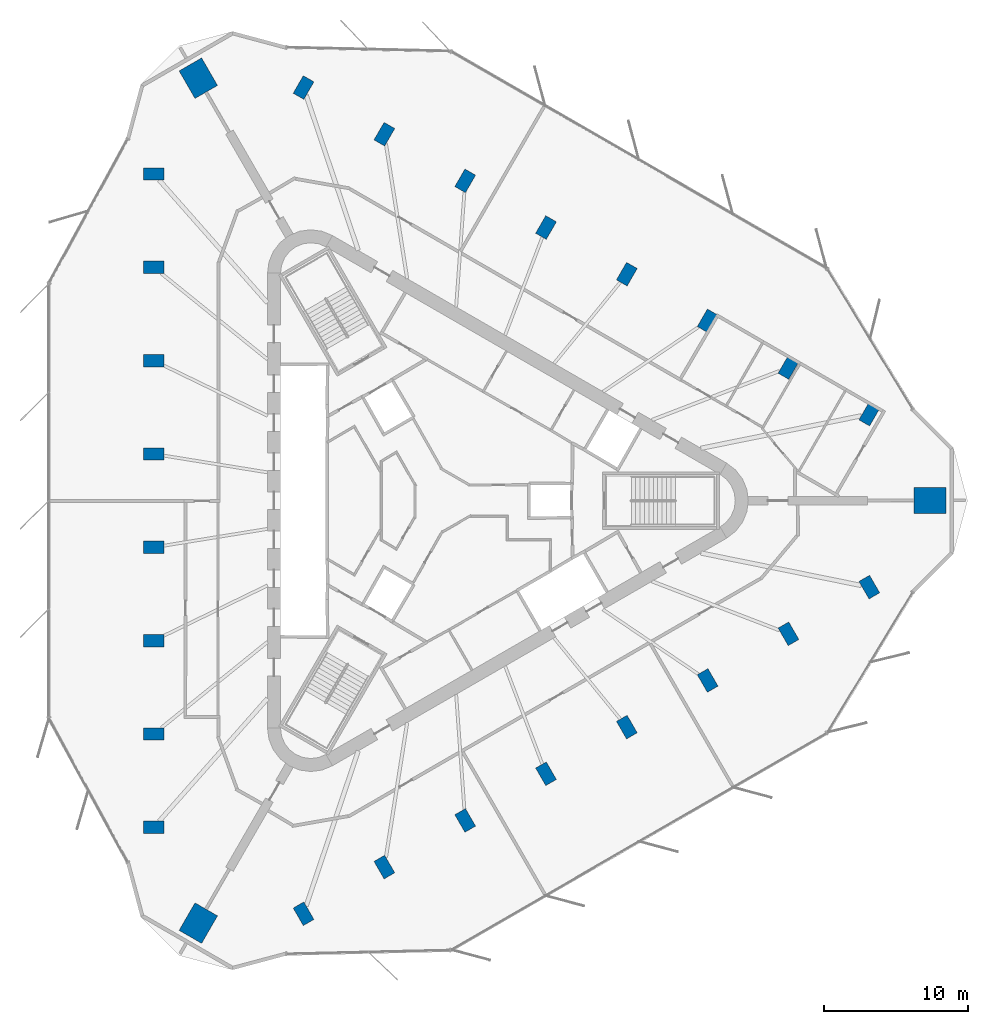
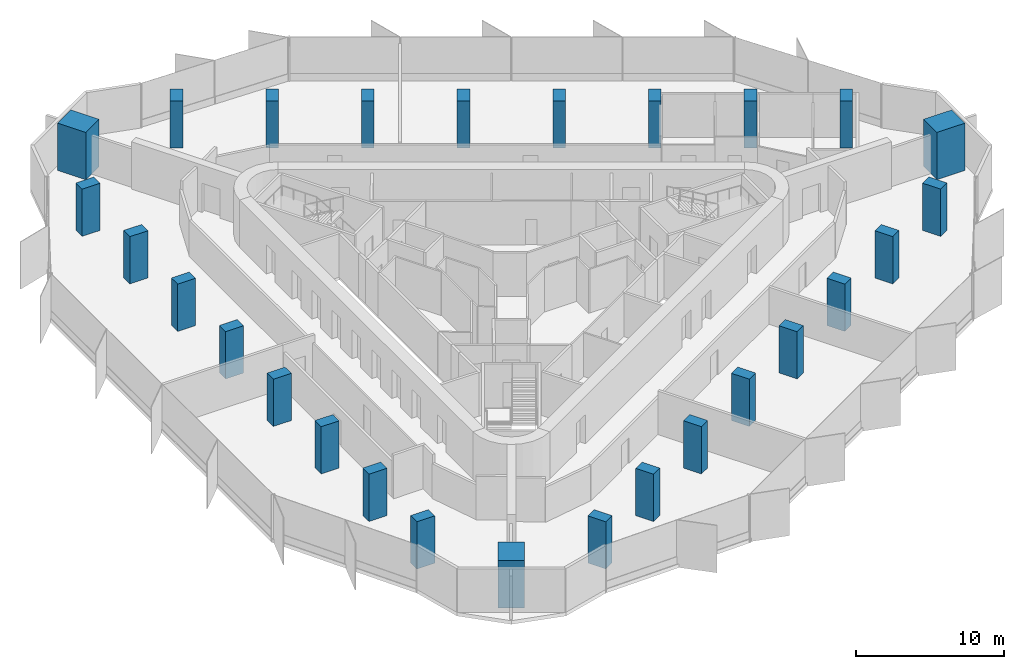
# One storey, part 1 of 12: 27 columns.
"""IFC4 building model written with IfcOpenShell, lengths in metres."""

from ifc_helpers import new_model, si_unit, direction, frame, origin, origin_2d, place, context, subcontext, project, spatial, rectangle, extrude, material, material_profile, profile_set, type_object, element, save


model = new_model("IFC4")

# Units and contexts
model_context = context("Model", 3, precision=1e-05, world=origin(), true_north=direction((0.0, 1.0)))
body_context = subcontext(model_context, "Body", "Model", "MODEL_VIEW")
ifc_project = project(units=[si_unit("LENGTHUNIT", "METRE"), si_unit("AREAUNIT", "SQUARE_METRE"), si_unit("VOLUMEUNIT", "CUBIC_METRE"), si_unit("PLANEANGLEUNIT", "RADIAN"), si_unit("MASSUNIT", "GRAM", prefix="KILO")], contexts=[model_context])

# Site, building, storey
site_placement = place(None, origin())
site = spatial("IfcSite", under=ifc_project, at=site_placement, CompositionType="ELEMENT")
building_placement = place(site_placement, origin())
building = spatial("IfcBuilding", under=site, at=building_placement, Name="Tanit Gate Tower", CompositionType="ELEMENT")
storey_placement = place(building_placement, frame((0.0, 0.0, 341.60009765625)))
storey = spatial("IfcBuildingStorey", under=building, at=storey_placement, Name="L77", CompositionType="ELEMENT", Elevation=341.60009765625)

# Columns
ifc_material_1 = material(Name="Concrete C50/60", Category="concrete")
ifc_material_profile_1 = material_profile(ifc_material_1, rectangle(XDim=2.199951171875, YDim=1.800048828125, at=origin_2d()), Name="RC 2200x1800")
ifc_profile_set_1 = profile_set([ifc_material_profile_1], Name="Concrete C50/60")
column_type_1 = type_object("IfcColumnType", Name="MEGA COLUMN 2200x1800 C50/60", PredefinedType="COLUMN", material=ifc_profile_set_1)
for number, where, z_axis, x_axis, name in (
    (1, (33.787109375, 0.0, 0.0), (0.0, 0.0, 1.0), (1.0, 0.0, 0.0), "MEGA COLUMN"),
    (2, (-16.8935546875, 29.260498046875, 0.0), (0.0, 0.0, 1.0), (-0.5, 0.866025403784, 0.0), "MEGA COLUMN"),
    (3, (-16.8935546875, -29.260498046875, 0.0), (0.0, 0.0, 1.0), (-0.5, -0.866025403784, 0.0), "MEGA COLUMN"),
):
    element("IfcColumn", number, at=place(storey_placement, frame(where, z_axis=z_axis, x_axis=x_axis)), inside=storey, type_object=column_type_1, Name=name, PredefinedType="COLUMN", context=body_context, shape_type="SweptSolid", body=[
        extrude(rectangle(XDim=2.199951171875, YDim=1.800048828125, at=origin_2d()), origin(), (0.0, 0.0, 1.0), 3.89990234375),
    ])
ifc_material_2 = material(Name="Concrete C40/50", Category="concrete")
ifc_material_profile_2 = material_profile(ifc_material_2, rectangle(XDim=1.39990234375, YDim=0.85009765625, at=origin_2d()), Name="RC 1400x850")
ifc_profile_set_2 = profile_set([ifc_material_profile_2], Name="Concrete C40/50")
column_type_2 = type_object("IfcColumnType", Name="PERIMETER COLUMN 1400x850 C40/50", PredefinedType="COLUMN", material=ifc_profile_set_2)
for number, where, z_axis, x_axis, name in (
    (4, (-19.977783203125, 22.62353515625, 0.0), (0.0, 0.0, 1.0), (-1.0, 0.0, 0.0), "PERIMETER COLUMN"),
    (5, (-19.977783203125, 16.15966796875, 0.0), (0.0, 0.0, 1.0), (-1.0, 0.0, 0.0), "PERIMETER COLUMN"),
    (6, (-19.977783203125, 9.69580078125, 0.0), (0.0, 0.0, 1.0), (-1.0, 0.0, 0.0), "PERIMETER COLUMN"),
    (7, (-19.977783203125, 3.23193359375, 0.0), (0.0, 0.0, 1.0), (-1.0, 0.0, 0.0), "PERIMETER COLUMN"),
    (8, (-19.977783203125, -3.23193359375, 0.0), (0.0, 0.0, 1.0), (-1.0, 0.0, 0.0), "PERIMETER COLUMN"),
    (9, (-19.977783203125, -9.69580078125, 0.0), (0.0, 0.0, 1.0), (-1.0, 0.0, 0.0), "PERIMETER COLUMN"),
    (10, (-19.977783203125, -16.15966796875, 0.0), (0.0, 0.0, 1.0), (-1.0, 0.0, 0.0), "PERIMETER COLUMN"),
    (11, (-19.977783203125, -22.62353515625, 0.0), (0.0, 0.0, 1.0), (-1.0, 0.0, 0.0), "PERIMETER COLUMN"),
    (12, (29.58154296875, 5.989501953125, 0.0), (0.0, 0.0, 1.0), (0.5, 0.866025403784, 0.0), "PERIMETER COLUMN"),
    (13, (23.983642578125, 9.22119140625, 0.0), (0.0, 0.0, 1.0), (0.5, 0.866025403784, 0.0), "PERIMETER COLUMN"),
    (14, (18.3857421875, 12.453369140625, 0.0), (0.0, 0.0, 1.0), (0.5, 0.866025403784, 0.0), "PERIMETER COLUMN"),
    (15, (12.787841796875, 15.685302734375, 0.0), (0.0, 0.0, 1.0), (0.5, 0.866025403784, 0.0), "PERIMETER COLUMN"),
    (16, (7.18994140625, 18.917236328125, 0.0), (0.0, 0.0, 1.0), (0.5, 0.866025403784, 0.0), "PERIMETER COLUMN"),
    (17, (1.592041015625, 22.149169921875, 0.0), (0.0, 0.0, 1.0), (0.5, 0.866025403784, 0.0), "PERIMETER COLUMN"),
    (18, (-4.005859375, 25.381103515625, 0.0), (0.0, 0.0, 1.0), (0.5, 0.866025403784, 0.0), "PERIMETER COLUMN"),
    (19, (-9.603759765625, 28.613037109375, 0.0), (0.0, 0.0, 1.0), (0.5, 0.866025403784, 0.0), "PERIMETER COLUMN"),
    (20, (-9.603759765625, -28.613037109375, 0.0), (0.0, 0.0, 1.0), (0.5, -0.866025403784, 0.0), "PERIMETER COLUMN"),
    (21, (-4.005859375, -25.381103515625, 0.0), (0.0, 0.0, 1.0), (0.5, -0.866025403784, 0.0), "PERIMETER COLUMN"),
    (22, (1.592041015625, -22.149169921875, 0.0), (0.0, 0.0, 1.0), (0.5, -0.866025403784, 0.0), "PERIMETER COLUMN"),
    (23, (7.18994140625, -18.917236328125, 0.0), (0.0, 0.0, 1.0), (0.5, -0.866025403784, 0.0), "PERIMETER COLUMN"),
    (24, (12.787841796875, -15.685302734375, 0.0), (0.0, 0.0, 1.0), (0.5, -0.866025403784, 0.0), "PERIMETER COLUMN"),
    (25, (18.3857421875, -12.453369140625, 0.0), (0.0, 0.0, 1.0), (0.5, -0.866025403784, 0.0), "PERIMETER COLUMN"),
    (26, (23.983642578125, -9.22119140625, 0.0), (0.0, 0.0, 1.0), (0.5, -0.866025403784, 0.0), "PERIMETER COLUMN"),
    (27, (29.58154296875, -5.989501953125, 0.0), (0.0, 0.0, 1.0), (0.5, -0.866025403784, 0.0), "PERIMETER COLUMN"),
):
    element("IfcColumn", number, at=place(storey_placement, frame(where, z_axis=z_axis, x_axis=x_axis)), inside=storey, type_object=column_type_2, Name=name, PredefinedType="COLUMN", context=body_context, shape_type="SweptSolid", body=[
        extrude(rectangle(XDim=1.39990234375, YDim=0.85009765625, at=origin_2d()), origin(), (0.0, 0.0, 1.0), 3.89990234375),
    ])

save(model, "model.ifc")
